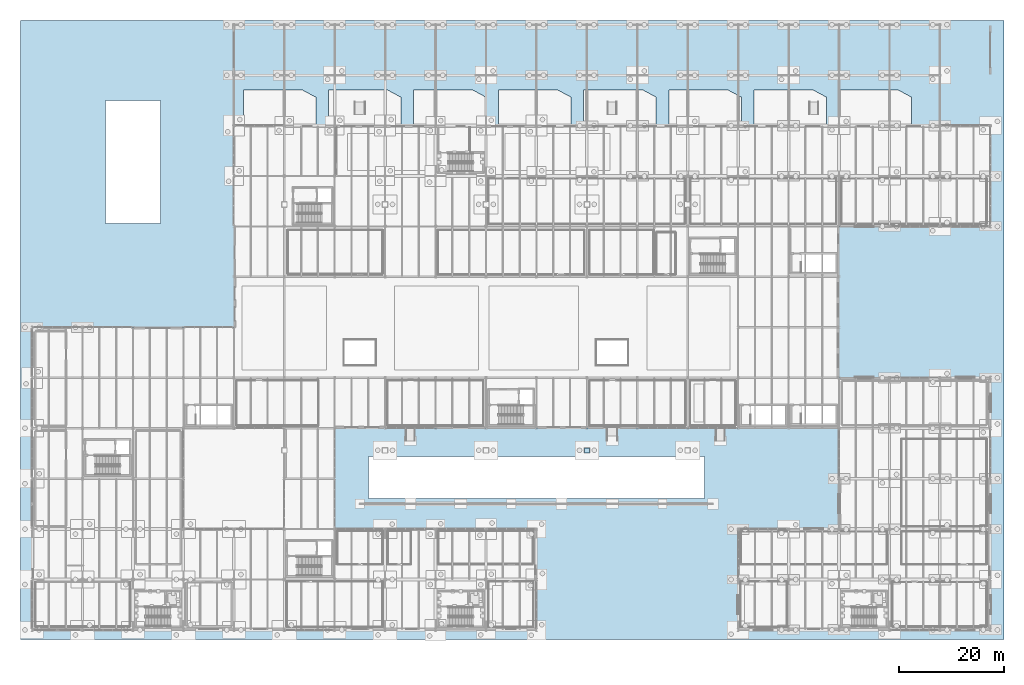
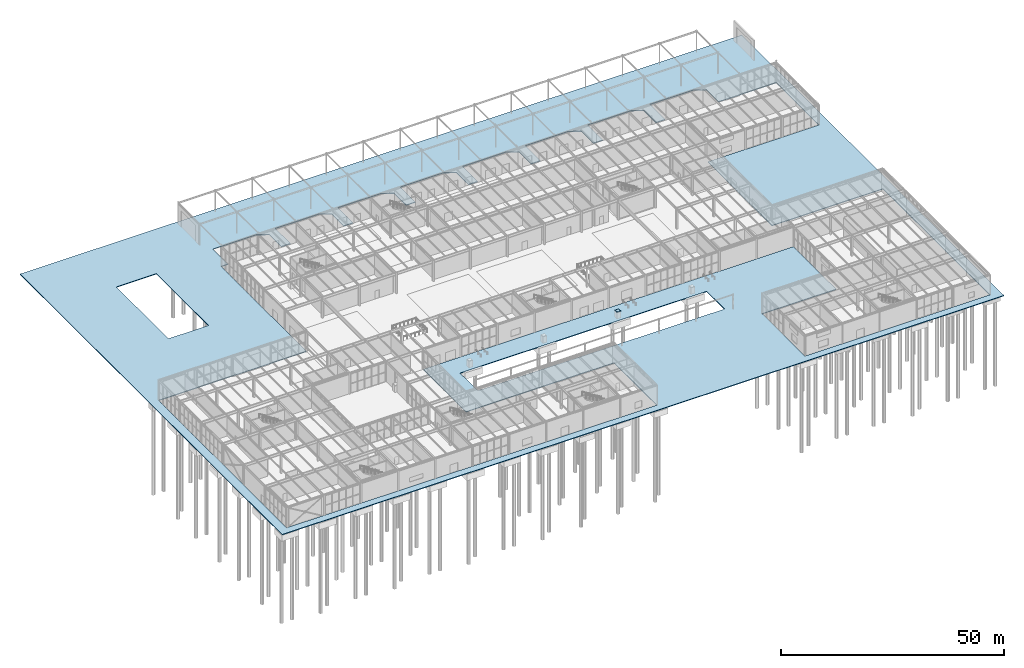
# One storey, part 108 of 142: 1 plate, 1 slab.
"""IFC4 building model written with IfcOpenShell, lengths in metres."""

import ifcopenshell
import ifcopenshell.guid

model = None  # the IFC model being written
_history = None  # IfcOwnerHistory: only IFC2X3 demands one
_inside = {}  # id of a spatial element -> (the spatial element, [elements in it])
_under = {}  # id of a project, library or spatial element -> (it, [spatial elements below it])
_declared = {}  # id of a project -> (the project, [libraries it declares])
_typed = {}  # id of a type object -> (the type object, [elements of that type])
_made_of = {}  # id of a material, layer set ... -> (it, [elements and type objects made of it])


def new_model(schema):
    """Start an empty IFC model of exactly this schema.

    Asked for "IFC4X3", IfcOpenShell would pick the latest addendum, in which some entities
    have other attributes; the version numbers below select the first issue.
    IFC2X3 requires an IfcOwnerHistory on every rooted entity: one is made here for all.
    """
    global model, _history
    if schema == "IFC4X3":
        model = ifcopenshell.file(schema_version=(4, 3, 0, 0))
    else:
        model = ifcopenshell.file(schema=schema)
    _inside.clear()
    _under.clear()
    _declared.clear()
    _typed.clear()
    _made_of.clear()
    _history = None
    if model.schema == "IFC2X3":
        org = make("IfcOrganization", Name="unknown")
        user = make(
            "IfcPersonAndOrganization",
            ThePerson=make("IfcPerson", FamilyName="unknown"),
            TheOrganization=org,
        )
        app = make(
            "IfcApplication",
            ApplicationDeveloper=org,
            Version="unknown",
            ApplicationFullName="unknown",
            ApplicationIdentifier="unknown",
        )
        _history = make(
            "IfcOwnerHistory",
            OwningUser=user,
            OwningApplication=app,
            ChangeAction="ADDED",
            CreationDate=0,
        )
    return model


def make(cls, **values):
    """One entity of the class cls with the attributes given. An attribute that is None is left unset."""
    return model.create_entity(
        cls, **{name: value for name, value in values.items() if value is not None}
    )


def rooted(cls, **values):
    """An entity with a GlobalId (a new one), such as an element, a storey or a relation."""
    return make(cls, GlobalId=ifcopenshell.guid.new(), OwnerHistory=_history, **values)


def si_unit(unit_type, name, prefix=None):
    """IfcSIUnit, for example si_unit("LENGTHUNIT", "METRE", prefix="MILLI")."""
    return make("IfcSIUnit", UnitType=unit_type, Prefix=prefix, Name=name)


def assignment(units):
    """IfcUnitAssignment: the units of a project."""
    return None if units is None else make("IfcUnitAssignment", Units=units)


def point(xyz):
    """IfcCartesianPoint."""
    return None if xyz is None else make("IfcCartesianPoint", Coordinates=xyz)


def direction(xyz):
    """IfcDirection."""
    return None if xyz is None else make("IfcDirection", DirectionRatios=xyz)


def frame(location, z_axis=None, x_axis=None):
    """IfcAxis2Placement3D, a coordinate frame: its origin and axes. An axis left out is left unset."""
    return make(
        "IfcAxis2Placement3D",
        Location=point(location),
        Axis=direction(z_axis),
        RefDirection=direction(x_axis),
    )


def frame_2d(location, x_axis=None):
    """IfcAxis2Placement2D, a coordinate frame in the plane: its origin and x axis."""
    return make(
        "IfcAxis2Placement2D", Location=point(location), RefDirection=direction(x_axis)
    )


def origin():
    """The frame at (0, 0, 0) with its axes left unset."""
    return frame((0.0, 0.0, 0.0))


def origin_2d():
    """The frame at (0, 0) in the plane with its x axis left unset."""
    return frame_2d((0.0, 0.0))


def place(relative_to, where):
    """IfcLocalPlacement: puts the frame where relative to a parent placement (None: the world)."""
    return make(
        "IfcLocalPlacement", PlacementRelTo=relative_to, RelativePlacement=where
    )


def context(
    kind, dimensions, precision=None, world=None, true_north=None, identifier=None
):
    """IfcGeometricRepresentationContext, for example the 3D "Model" context."""
    return make(
        "IfcGeometricRepresentationContext",
        ContextIdentifier=identifier,
        ContextType=kind,
        CoordinateSpaceDimension=dimensions,
        Precision=precision,
        WorldCoordinateSystem=world,
        TrueNorth=true_north,
    )


def subcontext(parent, identifier, kind, view, scale=None):
    """IfcGeometricRepresentationSubContext, for example "Body" below "Model"."""
    return make(
        "IfcGeometricRepresentationSubContext",
        ContextIdentifier=identifier,
        ContextType=kind,
        ParentContext=parent,
        TargetScale=scale,
        TargetView=view,
    )


def project(units=None, contexts=None):
    """IfcProject with its units and contexts."""
    return rooted(
        "IfcProject",
        Name="project",
        RepresentationContexts=contexts,
        UnitsInContext=assignment(units),
    )


def spatial(cls, under=None, at=None, **own):
    """A site, building, storey or space (cls), placed at a placement, below another one or the project."""
    s = rooted(cls, ObjectPlacement=at, **own)
    if under is not None:
        _under.setdefault(under.id(), (under, []))[1].append(s)
    return s


def polyline(points):
    """IfcPolyline through the points."""
    return make("IfcPolyline", Points=[point(p) for p in points])


def profile(cls, at=None, kind="AREA", **sizes):
    """A parametric profile (cls). Its sizes go by their IFC names, for example OverallWidth=200.0."""
    return make(cls, ProfileType=kind, Position=at, **sizes)


def rectangle(**sizes):
    """IfcRectangleProfileDef."""
    return profile("IfcRectangleProfileDef", **sizes)


def outline(outer, holes=None, kind="AREA"):
    """IfcArbitraryClosedProfileDef: a profile drawn as a closed curve; with holes, ...WithVoids."""
    if holes is None:
        return make("IfcArbitraryClosedProfileDef", ProfileType=kind, OuterCurve=outer)
    return make(
        "IfcArbitraryProfileDefWithVoids",
        ProfileType=kind,
        OuterCurve=outer,
        InnerCurves=holes,
    )


def extrude(swept, where, along, depth):
    """IfcExtrudedAreaSolid: the profile swept, set in the frame where, extruded along a direction by depth."""
    return make(
        "IfcExtrudedAreaSolid",
        SweptArea=swept,
        Position=where,
        ExtrudedDirection=direction(along),
        Depth=depth,
    )


def shape(context_of_items, identifier, shape_type, items):
    """IfcShapeRepresentation: the items that make up one representation, for example the "Body"."""
    return make(
        "IfcShapeRepresentation",
        ContextOfItems=context_of_items,
        RepresentationIdentifier=identifier,
        RepresentationType=shape_type,
        Items=items,
    )


def material(Name=None, Category=None):
    """IfcMaterial."""
    return make("IfcMaterial", Name=Name, Category=Category)


def layer(
    of_material, thickness, ventilated=None, Name=None, Category=None, Priority=None
):
    """IfcMaterialLayer: one layer of a wall or slab, of a material (None: an air gap)."""
    return make(
        "IfcMaterialLayer",
        Material=of_material,
        LayerThickness=thickness,
        IsVentilated=ventilated,
        Name=Name,
        Category=Category,
        Priority=Priority,
    )


def layer_set(layers, Name=None):
    """IfcMaterialLayerSet."""
    return make("IfcMaterialLayerSet", MaterialLayers=layers, LayerSetName=Name)


def made_of(thing, what):
    """Note that an element or type object is made of a material, layer set ...; save() writes the relation."""
    if what is not None:
        _made_of.setdefault(what.id(), (what, []))[1].append(thing)
    return thing


def type_object(cls, material=None, **own):
    """A type object (cls), such as IfcWallType, which elements share."""
    return made_of(rooted(cls, **own), material)


def element(
    cls,
    number,
    at=None,
    inside=None,
    cuts=None,
    type_object=None,
    material=None,
    context=None,
    identifier="Body",
    shape_type=None,
    held_by="IfcProductDefinitionShape",
    body=None,
    shapes=None,
    **own,
):
    """One element of the class cls, such as IfcWall. Its Tag is "e" and its number.

    at: its placement. inside: the storey or other place that contains it. cuts: it is an
    opening in that element (IfcRelVoidsElement). A single representation is given by context,
    identifier, shape_type and body (its items); several are given by shapes. held_by: the class
    of the entity that holds the representations. save() writes the other relations.
    """
    e = rooted(cls, Tag="e%d" % number, ObjectPlacement=at, **own)
    if body is not None:
        shapes = [shape(context, identifier, shape_type, body)]
    if shapes is not None:
        e.Representation = make(held_by, Representations=shapes)
    if inside is not None:
        _inside.setdefault(inside.id(), (inside, []))[1].append(e)
    if cuts is not None:
        rooted(
            "IfcRelVoidsElement", RelatingBuildingElement=cuts, RelatedOpeningElement=e
        )
    if type_object is not None:
        _typed.setdefault(type_object.id(), (type_object, []))[1].append(e)
    return made_of(e, material)


def aggregate(whole, parts):
    """IfcRelAggregates: a whole, such as a stair, and the parts it consists of."""
    return rooted("IfcRelAggregates", RelatingObject=whole, RelatedObjects=parts)


def save(model, path):
    """Write the relations noted so far, then the file.

    IfcRelAggregates (storeys below a building ...), IfcRelContainedInSpatialStructure (elements
    in a storey), IfcRelDefinesByType, IfcRelAssociatesMaterial and IfcRelDeclares: one each for
    every whole, place, type object, material and project.
    """
    for whole, parts in _under.values():
        aggregate(whole, parts)
    for where, things in _inside.values():
        rooted(
            "IfcRelContainedInSpatialStructure",
            RelatedElements=things,
            RelatingStructure=where,
        )
    for kind, things in _typed.values():
        rooted("IfcRelDefinesByType", RelatedObjects=things, RelatingType=kind)
    for what, things in _made_of.values():
        rooted("IfcRelAssociatesMaterial", RelatedObjects=things, RelatingMaterial=what)
    for by, libraries in _declared.values():
        rooted("IfcRelDeclares", RelatingContext=by, RelatedDefinitions=libraries)
    model.write(path)


model = new_model("IFC4")

# Units and contexts
model_context = context("Model", 3, precision=1e-05, world=origin(), true_north=direction((0.0, 1.0)))
body_context = subcontext(model_context, "Body", "Model", "MODEL_VIEW")
ifc_project = project(units=[si_unit("LENGTHUNIT", "METRE"), si_unit("AREAUNIT", "SQUARE_METRE"), si_unit("VOLUMEUNIT", "CUBIC_METRE"), si_unit("PLANEANGLEUNIT", "RADIAN"), si_unit("MASSUNIT", "GRAM", prefix="KILO")], contexts=[model_context])

# Site, building, storey
site_placement = place(None, origin())
site = spatial("IfcSite", under=ifc_project, at=site_placement, CompositionType="ELEMENT")
building_placement = place(site_placement, origin())
building = spatial("IfcBuilding", under=site, at=building_placement, Name="Coralgate Yard Interchange", CompositionType="ELEMENT")
storey_placement = place(building_placement, origin())
storey = spatial("IfcBuildingStorey", under=building, at=storey_placement, Name="L00", CompositionType="ELEMENT", Elevation=0.0)

# Plate
ifc_material_1 = material(Name="Yellow-ochre weather-coated structural steel S355J2", Category="steel")
ifc_layer_1 = layer(ifc_material_1, 0.0400390625)
ifc_layer_set_1 = layer_set([ifc_layer_1], Name="Yellow-ochre weather-coated structural steel S355J2")
plate_type = type_object("IfcPlateType", Name="PLT-BP-40", PredefinedType="USERDEFINED", material=ifc_layer_set_1)
plate_placement = place(storey_placement, frame((105.60009765625, 34.199951171875, 1.800048828125), z_axis=(0.0, 0.0, 1.0), x_axis=(1.0, 0.0, 0.0)))
element("IfcPlate", 1, at=plate_placement, inside=storey, type_object=plate_type, Name="Arch AR-4 S steel base plate BP-40", ObjectType="BASE PLATE", PredefinedType="USERDEFINED", context=body_context, shape_type="SweptSolid", body=[
    extrude(rectangle(XDim=0.949951171875, YDim=0.949951171875, at=origin_2d()), origin(), (0.0, 0.0, 1.0), 0.0400390625),
])

# Slab
ifc_material_2 = material(Name="Concrete C35/45", Category="concrete")
ifc_layer_2 = layer(ifc_material_2, 0.179931640625)
ifc_layer_set_2 = layer_set([ifc_layer_2], Name="Concrete C35/45")
slab_type = type_object("IfcSlabType", Name="SLB-SL-PAV180", PredefinedType="BASESLAB", material=ifc_layer_set_2)
slab_placement = place(storey_placement, frame((0.0, 0.0, -0.179931640625)))
element("IfcSlab", 2, at=slab_placement, inside=storey, type_object=slab_type, Name="External intermodal loop apron and forecourt paving 1", PredefinedType="BASESLAB", context=body_context, shape_type="SweptSolid", body=[
    extrude(outline(polyline([(-2.199951171875, -1.800048828125), (-2.199951171875, 116.0), (185.0, 116.0), (185.0, -1.800048828125), (-2.199951171875, -1.800048828125)]), holes=[polyline([(38.39990234375, 0.0), (48.0, 0.0), (57.60009765625, 0.0), (67.199951171875, 0.0), (76.800048828125, 0.0), (86.39990234375, 0.0), (96.0, 0.0), (96.0, 9.60009765625), (96.0, 19.199951171875), (86.39990234375, 19.199951171875), (76.800048828125, 19.199951171875), (67.199951171875, 19.199951171875), (57.60009765625, 19.199951171875), (57.60009765625, 28.800048828125), (57.60009765625, 38.39990234375), (67.199951171875, 38.39990234375), (76.800048828125, 38.39990234375), (86.39990234375, 38.39990234375), (96.0, 38.39990234375), (105.60009765625, 38.39990234375), (115.199951171875, 38.39990234375), (124.800048828125, 38.39990234375), (134.39990234375, 38.39990234375), (144.0, 38.39990234375), (153.60009765625, 38.39990234375), (153.60009765625, 28.800048828125), (153.60009765625, 19.199951171875), (144.0, 19.199951171875), (134.39990234375, 19.199951171875), (134.39990234375, 9.60009765625), (134.39990234375, 0.0), (144.0, 0.0), (153.60009765625, 0.0), (163.199951171875, 0.0), (172.800048828125, 0.0), (182.39990234375, 0.0), (182.39990234375, 9.60009765625), (182.39990234375, 19.199951171875), (182.39990234375, 28.800048828125), (182.39990234375, 38.39990234375), (182.39990234375, 48.0), (172.800048828125, 48.0), (163.199951171875, 48.0), (153.60009765625, 48.0), (153.60009765625, 57.60009765625), (153.60009765625, 67.199951171875), (153.60009765625, 76.800048828125), (163.199951171875, 76.800048828125), (172.800048828125, 76.800048828125), (182.39990234375, 76.800048828125), (182.39990234375, 86.39990234375), (182.39990234375, 96.0), (172.800048828125, 96.0), (167.39990234375, 96.0), (167.39990234375, 101.39990234375), (164.800048828125, 102.800048828125), (153.60009765625, 102.800048828125), (153.60009765625, 96.0), (151.199951171875, 96.0), (151.199951171875, 101.39990234375), (148.60009765625, 102.800048828125), (137.39990234375, 102.800048828125), (137.39990234375, 96.0), (135.0, 96.0), (135.0, 101.39990234375), (132.39990234375, 102.800048828125), (121.199951171875, 102.800048828125), (121.199951171875, 96.0), (118.800048828125, 96.0), (118.800048828125, 101.39990234375), (116.199951171875, 102.800048828125), (105.0, 102.800048828125), (105.0, 96.0), (102.60009765625, 96.0), (102.60009765625, 101.39990234375), (100.0, 102.800048828125), (88.800048828125, 102.800048828125), (88.800048828125, 96.0), (86.39990234375, 96.0), (86.39990234375, 101.39990234375), (83.800048828125, 102.800048828125), (72.60009765625, 102.800048828125), (72.60009765625, 96.0), (70.199951171875, 96.0), (70.199951171875, 101.39990234375), (67.60009765625, 102.800048828125), (56.39990234375, 102.800048828125), (56.39990234375, 96.0), (54.0, 96.0), (54.0, 101.39990234375), (51.39990234375, 102.800048828125), (40.199951171875, 102.800048828125), (40.199951171875, 96.0), (38.39990234375, 96.0), (38.39990234375, 86.39990234375), (38.39990234375, 76.800048828125), (38.39990234375, 67.199951171875), (38.39990234375, 57.60009765625), (28.800048828125, 57.60009765625), (19.199951171875, 57.60009765625), (9.60009765625, 57.60009765625), (0.0, 57.60009765625), (0.0, 48.0), (0.0, 38.39990234375), (0.0, 28.800048828125), (0.0, 19.199951171875), (0.0, 9.60009765625), (0.0, 0.0), (9.60009765625, 0.0), (19.199951171875, 0.0), (28.800048828125, 0.0), (38.39990234375, 0.0)]), polyline([(14.0, 100.800048828125), (14.0, 77.39990234375), (24.39990234375, 77.39990234375), (24.39990234375, 100.800048828125), (14.0, 100.800048828125)]), polyline([(128.0, 33.0), (64.0, 33.0), (64.0, 25.0), (128.0, 25.0), (128.0, 33.0)])]), origin(), (0.0, 0.0, 1.0), 0.179931640625),
])

save(model, "model.ifc")
